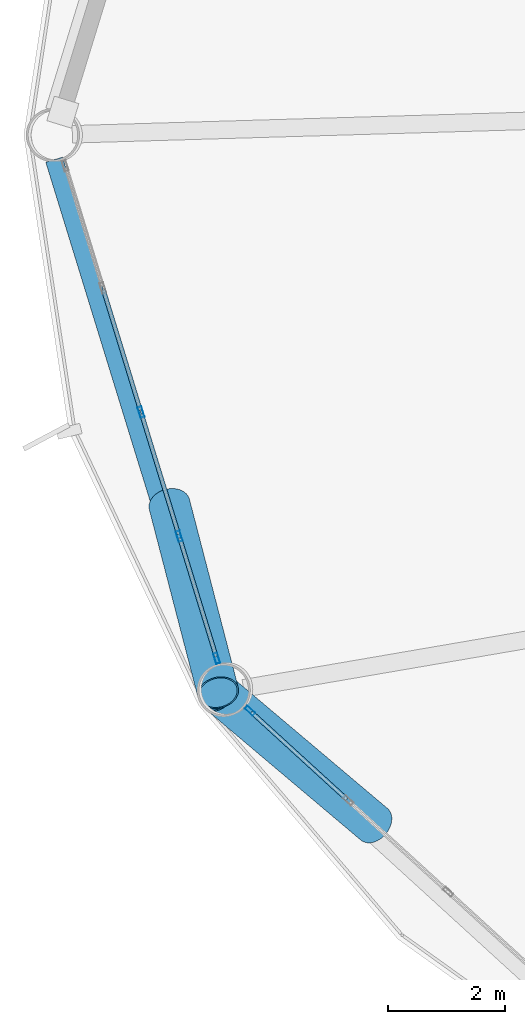
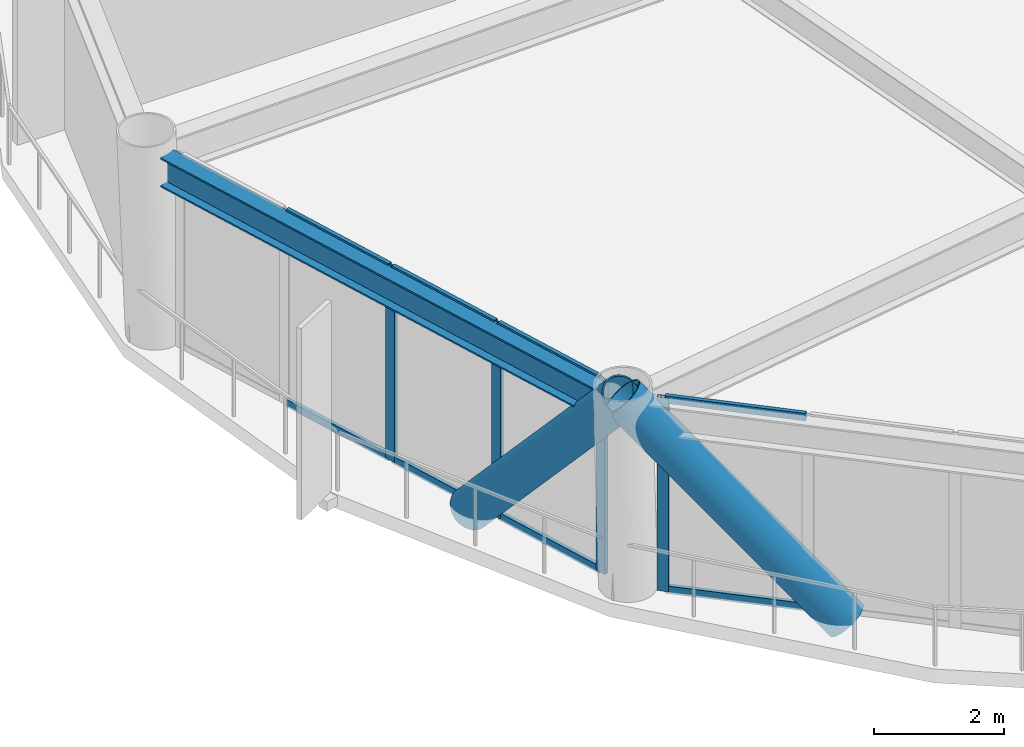
# One storey, part 5 of 26: 14 members, 1 beam, 2 elements without a shape of their own.
"""IFC4 building model written with IfcOpenShell, lengths in metres."""

from ifc_helpers import new_model, si_unit, direction, frame, origin, origin_2d, place, context, subcontext, project, spatial, hollow_rectangle, hollow_circle, i_section, extrude, material, layer, layer_set, material_profile, profile_set, type_object, element, aggregate, save


model = new_model("IFC4")

# Units and contexts
model_context = context("Model", 3, precision=1e-05, world=origin(), true_north=direction((0.0, 1.0)))
body_context = subcontext(model_context, "Body", "Model", "MODEL_VIEW")
ifc_project = project(units=[si_unit("LENGTHUNIT", "METRE"), si_unit("AREAUNIT", "SQUARE_METRE"), si_unit("VOLUMEUNIT", "CUBIC_METRE"), si_unit("PLANEANGLEUNIT", "RADIAN"), si_unit("MASSUNIT", "GRAM", prefix="KILO")], contexts=[model_context])

# Site, building, storey
site_placement = place(None, origin())
site = spatial("IfcSite", under=ifc_project, at=site_placement, CompositionType="ELEMENT")
building_placement = place(site_placement, origin())
building = spatial("IfcBuilding", under=site, at=building_placement, Name="Varnakorn Sky Granary", CompositionType="ELEMENT")
storey_placement = place(building_placement, frame((0.0, 0.0, 47.10009765625)))
storey = spatial("IfcBuildingStorey", under=building, at=storey_placement, Name="L11", CompositionType="ELEMENT", Elevation=47.10009765625)

# Beam
ifc_material_1 = material(Name="Steel S355JR", Category="steel")
ifc_material_profile_1 = material_profile(ifc_material_1, i_section(OverallWidth=0.300048828125, OverallDepth=0.550048828125, WebThickness=0.014892578125, FlangeThickness=0.029052734375, at=origin_2d()), Name="HE 550 B")
ifc_profile_set_1 = profile_set([ifc_material_profile_1], Name="Steel S355JR")
beam_type = type_object("IfcBeamType", Name="BM-SPD-Z1", PredefinedType="SPANDREL", material=ifc_profile_set_1)
beam_placement = place(storey_placement, frame((-22.47802734375, -0.42236328125, 3.364990234375), z_axis=(0.294132835828, -0.955764549922, 0.0), x_axis=(0.955764549922, 0.294132835828, 0.0)))
element("IfcBeam", 1, at=beam_placement, inside=storey, type_object=beam_type, Name="Perimeter Spandrel Ring Beam RB07 L11", PredefinedType="SPANDREL", context=body_context, shape_type="SweptSolid", body=[
    extrude(i_section(OverallWidth=0.300048828125, OverallDepth=0.550048828125, WebThickness=0.014892578125, FlangeThickness=0.029052734375, at=origin_2d()), origin(), (0.0, 0.0, 1.0), 9.1279296875),
])

# Curtain wall, members
ifc_material_2 = material(Name="Anodised Bronze Aluminium Alloy 6063-T6", Category="aluminium")
ifc_layer = layer(ifc_material_2, 0.18994140625, Name="Anodised Bronze Aluminium Alloy 6063-T6")
ifc_layer_set = layer_set([ifc_layer], Name="Anodised Bronze Aluminium Alloy 6063-T6")
curtain_wall_type = type_object("IfcCurtainWallType", Name="CW-FRM-1", PredefinedType="USERDEFINED", material=ifc_layer_set)
curtain_wall_1_placement = place(storey_placement, origin())
curtain_wall_1 = element("IfcCurtainWall", 2, at=curtain_wall_1_placement, inside=storey, type_object=curtain_wall_type, Name="Unitised Curtain Wall CW3 CW-L11-B07", ObjectType="CURTAIN WALL", PredefinedType="USERDEFINED")
ifc_material_profile_2 = material_profile(ifc_material_2, hollow_rectangle(XDim=0.070068359375, YDim=0.18505859375, WallThickness=0.00390625, at=origin_2d()), Name="ALU MULL 70x185")
ifc_profile_set_2 = profile_set([ifc_material_profile_2], Name="Anodised Bronze Aluminium Alloy 6063-T6")
member_type_1 = type_object("IfcMemberType", Name="CW-FRM-1-MULL", PredefinedType="MULLION", material=ifc_profile_set_2)
member_1_placement = place(storey_placement, frame((-19.6884765625, -8.979736328125, 0.0), z_axis=(0.0, 0.0, 1.0), x_axis=(-0.955828241263, -0.293925795403, 0.0)))
member_1 = element("IfcMember", 3, at=member_1_placement, type_object=member_type_1, Name="CW3 mullion 1", PredefinedType="MULLION", context=body_context, shape_type="SweptSolid", body=[
    extrude(hollow_rectangle(XDim=0.070068359375, YDim=0.18505859375, WallThickness=0.00390625, at=origin_2d()), origin(), (0.0, 0.0, 1.0), 3.639892578125),
])
member_2_placement = place(storey_placement, frame((-20.333251953125, -6.883544921875, 0.0), z_axis=(0.0, 0.0, 1.0), x_axis=(-0.955828241263, -0.293925795403, 0.0)))
member_2 = element("IfcMember", 4, at=member_2_placement, type_object=member_type_1, Name="CW3 mullion 2", PredefinedType="MULLION", context=body_context, shape_type="SweptSolid", body=[
    extrude(hollow_rectangle(XDim=0.070068359375, YDim=0.18505859375, WallThickness=0.00390625, at=origin_2d()), origin(), (0.0, 0.0, 1.0), 3.639892578125),
])
member_3_placement = place(storey_placement, frame((-20.988037109375, -4.753662109375, 0.0), z_axis=(0.0, 0.0, 1.0), x_axis=(-0.955828241263, -0.293925795403, 0.0)))
member_3 = element("IfcMember", 5, at=member_3_placement, type_object=member_type_1, Name="CW3 mullion 3", PredefinedType="MULLION", context=body_context, shape_type="SweptSolid", body=[
    extrude(hollow_rectangle(XDim=0.070068359375, YDim=0.18505859375, WallThickness=0.00390625, at=origin_2d()), origin(), (0.0, 0.0, 1.0), 3.639892578125),
])

# Curtain wall, member
curtain_wall_2_placement = place(storey_placement, origin())
curtain_wall_2 = element("IfcCurtainWall", 6, at=curtain_wall_2_placement, inside=storey, type_object=curtain_wall_type, Name="Unitised Curtain Wall CW3 CW-L11-B08", ObjectType="CURTAIN WALL", PredefinedType="USERDEFINED")
member_4_placement = place(storey_placement, frame((-19.11865234375, -9.8798828125, 0.0), z_axis=(0.0, 0.0, 1.0), x_axis=(-0.674464438954, -0.738307334777, 0.0)))
member_4 = element("IfcMember", 7, at=member_4_placement, type_object=member_type_1, Name="CW3 mullion 5", PredefinedType="MULLION", context=body_context, shape_type="SweptSolid", body=[
    extrude(hollow_rectangle(XDim=0.070068359375, YDim=0.18505859375, WallThickness=0.00390625, at=origin_2d()), origin(), (0.0, 0.0, 1.0), 3.639892578125),
])

# Member
ifc_material_profile_3 = material_profile(ifc_material_2, hollow_rectangle(XDim=0.070068359375, YDim=0.139892578125, WallThickness=0.00341796875, at=origin_2d()), Name="ALU TRAN 70x140")
ifc_profile_set_3 = profile_set([ifc_material_profile_3], Name="Anodised Bronze Aluminium Alloy 6063-T6")
member_type_2 = type_object("IfcMemberType", Name="CW-FRM-1-TRAN", PredefinedType="USERDEFINED", material=ifc_profile_set_3)
member_5_placement = place(storey_placement, frame((-19.698974609375, -8.9462890625, 0.034912109375), z_axis=(-0.293924231682, 0.95582872212, 0.0), x_axis=(-0.95582872212, -0.293924231682, 0.0)))
member_5 = element("IfcMember", 8, at=member_5_placement, type_object=member_type_2, Name="CW3 transom 1.1", ObjectType="TRANSOM", PredefinedType="USERDEFINED", context=body_context, shape_type="SweptSolid", body=[
    extrude(hollow_rectangle(XDim=0.070068359375, YDim=0.139892578125, WallThickness=0.00341796875, at=origin_2d()), origin(), (0.0, 0.0, 1.0), 2.123046875),
])

member_6_placement = place(storey_placement, frame((-19.698974609375, -8.9462890625, 3.60498046875), z_axis=(-0.293924231682, 0.95582872212, 0.0), x_axis=(-0.95582872212, -0.293924231682, 0.0)))
member_6 = element("IfcMember", 9, at=member_6_placement, type_object=member_type_2, Name="CW3 transom 1.2", ObjectType="TRANSOM", PredefinedType="USERDEFINED", context=body_context, shape_type="SweptSolid", body=[
    extrude(hollow_rectangle(XDim=0.070068359375, YDim=0.139892578125, WallThickness=0.00341796875, at=origin_2d()), origin(), (0.0, 0.0, 1.0), 2.123046875),
])

member_7_placement = place(storey_placement, frame((-20.343505859375, -6.85009765625, 0.034912109375), z_axis=(-0.293879173297, 0.955842576736, 0.0), x_axis=(-0.955842576736, -0.293879173297, 0.0)))
member_7 = element("IfcMember", 10, at=member_7_placement, type_object=member_type_2, Name="CW3 transom 2.1", ObjectType="TRANSOM", PredefinedType="USERDEFINED", context=body_context, shape_type="SweptSolid", body=[
    extrude(hollow_rectangle(XDim=0.070068359375, YDim=0.139892578125, WallThickness=0.00341796875, at=origin_2d()), origin(), (0.0, 0.0, 1.0), 2.158203125),
])

member_8_placement = place(storey_placement, frame((-20.343505859375, -6.85009765625, 3.60498046875), z_axis=(-0.293879173297, 0.955842576736, 0.0), x_axis=(-0.955842576736, -0.293879173297, 0.0)))
member_8 = element("IfcMember", 11, at=member_8_placement, type_object=member_type_2, Name="CW3 transom 2.2", ObjectType="TRANSOM", PredefinedType="USERDEFINED", context=body_context, shape_type="SweptSolid", body=[
    extrude(hollow_rectangle(XDim=0.070068359375, YDim=0.139892578125, WallThickness=0.00341796875, at=origin_2d()), origin(), (0.0, 0.0, 1.0), 2.158203125),
])

member_9_placement = place(storey_placement, frame((-20.99853515625, -4.72021484375, 0.034912109375), z_axis=(-0.293910951518, 0.955832805766, 0.0), x_axis=(-0.955832805766, -0.293910951518, 0.0)))
member_9 = element("IfcMember", 12, at=member_9_placement, type_object=member_type_2, Name="CW3 transom 3.1", ObjectType="TRANSOM", PredefinedType="USERDEFINED", context=body_context, shape_type="SweptSolid", body=[
    extrude(hollow_rectangle(XDim=0.070068359375, YDim=0.139892578125, WallThickness=0.00341796875, at=origin_2d()), origin(), (0.0, 0.0, 1.0), 2.157958984375),
])

member_10_placement = place(storey_placement, frame((-20.99853515625, -4.72021484375, 3.60498046875), z_axis=(-0.293910951518, 0.955832805766, 0.0), x_axis=(-0.955832805766, -0.293910951518, 0.0)))
member_10 = element("IfcMember", 13, at=member_10_placement, type_object=member_type_2, Name="CW3 transom 3.2", ObjectType="TRANSOM", PredefinedType="USERDEFINED", context=body_context, shape_type="SweptSolid", body=[
    extrude(hollow_rectangle(XDim=0.070068359375, YDim=0.139892578125, WallThickness=0.00341796875, at=origin_2d()), origin(), (0.0, 0.0, 1.0), 2.157958984375),
])

aggregate(curtain_wall_1, [member_1, member_2, member_3, member_5, member_6, member_7, member_8, member_9, member_10])

member_11_placement = place(storey_placement, frame((-17.45654296875, -11.398193359375, 0.034912109375), z_axis=(-0.738328085792, 0.674441723005, 0.0), x_axis=(-0.674441723005, -0.738328085792, 0.0)))
member_11 = element("IfcMember", 14, at=member_11_placement, type_object=member_type_2, Name="CW3 transom 4.1", ObjectType="TRANSOM", PredefinedType="USERDEFINED", context=body_context, shape_type="SweptSolid", body=[
    extrude(hollow_rectangle(XDim=0.070068359375, YDim=0.139892578125, WallThickness=0.00341796875, at=origin_2d()), origin(), (0.0, 0.0, 1.0), 2.216552734375),
])

member_12_placement = place(storey_placement, frame((-17.45654296875, -11.398193359375, 3.60498046875), z_axis=(-0.738328085792, 0.674441723005, 0.0), x_axis=(-0.674441723005, -0.738328085792, 0.0)))
member_12 = element("IfcMember", 15, at=member_12_placement, type_object=member_type_2, Name="CW3 transom 4.2", ObjectType="TRANSOM", PredefinedType="USERDEFINED", context=body_context, shape_type="SweptSolid", body=[
    extrude(hollow_rectangle(XDim=0.070068359375, YDim=0.139892578125, WallThickness=0.00341796875, at=origin_2d()), origin(), (0.0, 0.0, 1.0), 2.216552734375),
])

aggregate(curtain_wall_2, [member_4, member_11, member_12])

# Members
ifc_material_3 = material(Name="Steel S460M", Category="steel")
ifc_material_profile_4 = material_profile(ifc_material_3, hollow_circle(Radius=0.35546875, WallThickness=0.02490234375, at=origin_2d()), Name="CHS 711x25")
ifc_profile_set_4 = profile_set([ifc_material_profile_4], Name="Steel S460M")
member_type_3 = type_object("IfcMemberType", Name="MB-DIAG-T0", PredefinedType="BRACE", material=ifc_profile_set_4)
member_13_placement = place(storey_placement, frame((-20.5009765625, -6.33837890625, -0.130126953125), z_axis=(0.166408674479, -0.64163344679, 0.748742060404), x_axis=(0.967975175618, 0.251045930833, 0.0)))
element("IfcMember", 16, at=member_13_placement, inside=storey, type_object=member_type_3, Name="Perimeter CHS Diagrid Brace DG07 L11", PredefinedType="BRACE", context=body_context, shape_type="SweptSolid", body=[
    extrude(hollow_circle(Radius=0.35546875, WallThickness=0.02490234375, at=origin_2d()), origin(), (0.0, 0.0, 1.0), 5.03515625),
])
member_14_placement = place(storey_placement, frame((-16.98681640625, -11.827392578125, -0.130126953125), z_axis=(-0.52012613999, 0.438894982203, 0.732693655695), x_axis=(-0.644904028453, -0.764263563233, 0.0)))
element("IfcMember", 17, at=member_14_placement, inside=storey, type_object=member_type_3, Name="Perimeter CHS Diagrid Brace DG08 L11", PredefinedType="BRACE", context=body_context, shape_type="SweptSolid", body=[
    extrude(hollow_circle(Radius=0.35546875, WallThickness=0.02490234375, at=origin_2d()), origin(), (0.0, 0.0, 1.0), 5.1455078125),
])

save(model, "model.ifc")
